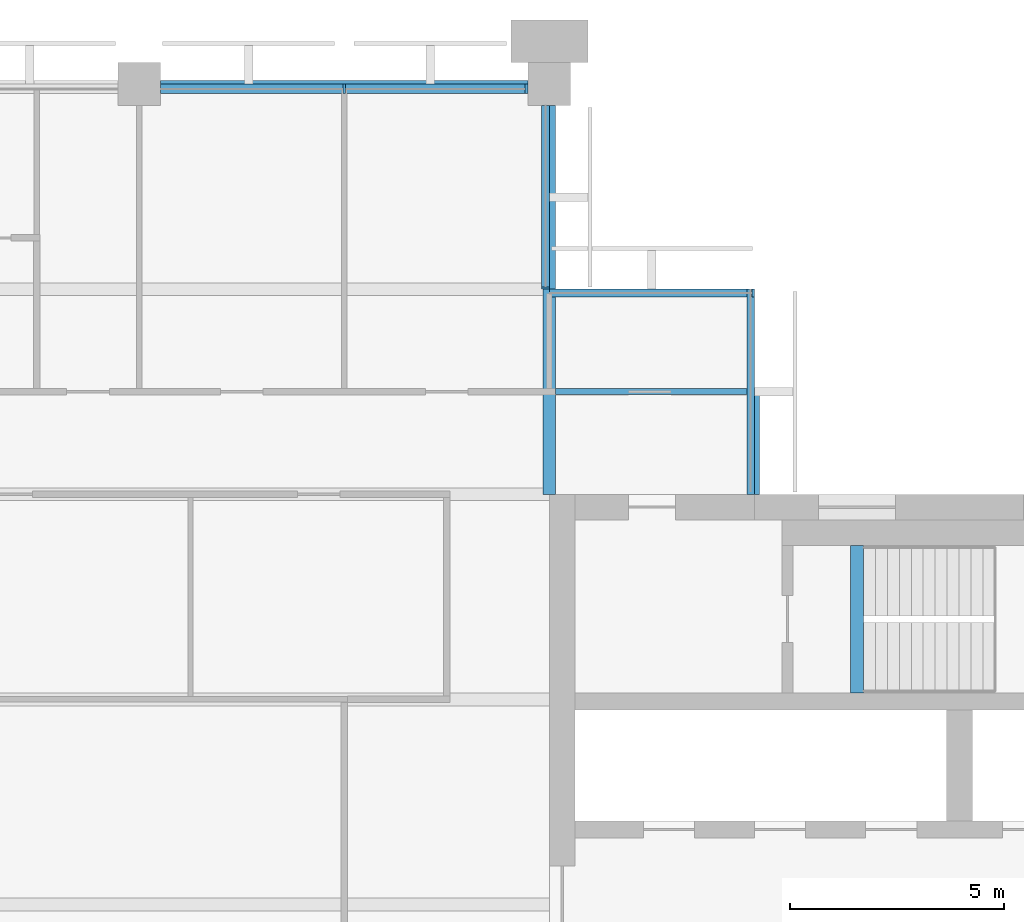
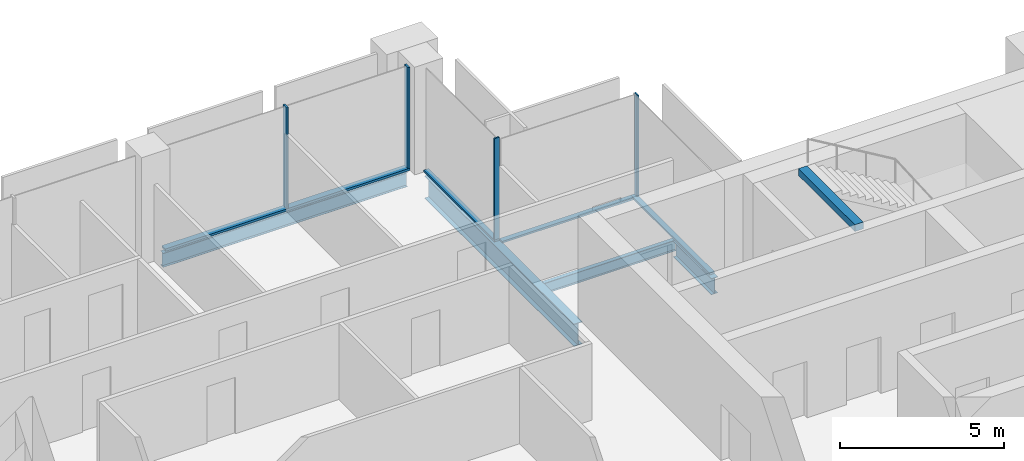
# One storey, part 6 of 13: 8 members, 5 beams, 4 elements without a shape of their own.
"""IFC4 building model written with IfcOpenShell, lengths in metres."""

from ifc_helpers import new_model, si_unit, direction, frame, origin, origin_2d, place, context, subcontext, project, spatial, rectangle, i_section, extrude, material, material_profile, profile_set, type_object, element, aggregate, save


model = new_model("IFC4")

# Units and contexts
model_context = context("Model", 3, precision=1e-05, world=origin(), true_north=direction((0.0, 1.0)))
body_context = subcontext(model_context, "Body", "Model", "MODEL_VIEW")
ifc_project = project(units=[si_unit("LENGTHUNIT", "METRE"), si_unit("AREAUNIT", "SQUARE_METRE"), si_unit("VOLUMEUNIT", "CUBIC_METRE"), si_unit("PLANEANGLEUNIT", "RADIAN"), si_unit("MASSUNIT", "GRAM", prefix="KILO")], contexts=[model_context])

# Site, building, storey
site_placement = place(None, origin())
site = spatial("IfcSite", under=ifc_project, at=site_placement, CompositionType="ELEMENT")
building_placement = place(site_placement, origin())
building = spatial("IfcBuilding", under=site, at=building_placement, Name="Baori Bourse Tower", CompositionType="ELEMENT")
storey_placement = place(building_placement, frame((0.0, 0.0, 346.300048828125)))
storey = spatial("IfcBuildingStorey", under=building, at=storey_placement, Name="L77", CompositionType="ELEMENT", Elevation=346.300048828125)

# Curtain wall, member
ifc_material_1 = material(Name="Pale anodised aluminium", Category="aluminium")
curtain_wall_type_1 = type_object("IfcCurtainWallType", Name="CW2 Curtain wall", PredefinedType="NOTDEFINED", material=ifc_material_1)
curtain_wall_1_placement = place(storey_placement, origin())
curtain_wall_1 = element("IfcCurtainWall", 1, at=curtain_wall_1_placement, inside=storey, type_object=curtain_wall_type_1, Name="Curtain wall CW2 L77 2", PredefinedType="NOTDEFINED")
ifc_material_2 = material(Name="Pale anodised aluminium", Category="aluminium")
ifc_material_profile_1 = material_profile(ifc_material_2, rectangle(XDim=0.179931640625, YDim=0.054931640625, at=origin_2d()), Name="Mullion 55x180")
ifc_profile_set_1 = profile_set([ifc_material_profile_1], Name="Pale anodised aluminium")
member_type_1 = type_object("IfcMemberType", Name="CW2 Curtain wall mullion", PredefinedType="MULLION", material=ifc_profile_set_1)
member_1_placement = place(storey_placement, frame((43.172607421875, 43.110107421875, 0.070068359375), z_axis=(0.0, 0.0, 1.0), x_axis=(0.0, -1.0, 0.0)))
member_1 = element("IfcMember", 2, at=member_1_placement, type_object=member_type_1, Name="Curtain wall CW2 mullion", PredefinedType="MULLION", context=body_context, shape_type="SweptSolid", body=[
    extrude(rectangle(XDim=0.179931640625, YDim=0.054931640625, at=origin_2d()), origin(), (0.0, 0.0, 1.0), 3.769775390625),
])

curtain_wall_2_placement = place(storey_placement, origin())
curtain_wall_2 = element("IfcCurtainWall", 3, at=curtain_wall_2_placement, inside=storey, type_object=curtain_wall_type_1, Name="Curtain wall CW2 L77 3", PredefinedType="NOTDEFINED")
member_2_placement = place(storey_placement, frame((38.31005859375, 43.2275390625, 0.070068359375), z_axis=(0.0, 0.0, 1.0), x_axis=(-1.0, 0.0, 0.0)))
member_2 = element("IfcMember", 4, at=member_2_placement, type_object=member_type_1, Name="Curtain wall CW2 mullion", PredefinedType="MULLION", context=body_context, shape_type="SweptSolid", body=[
    extrude(rectangle(XDim=0.179931640625, YDim=0.054931640625, at=origin_2d()), origin(), (0.0, 0.0, 1.0), 3.769775390625),
])

curtain_wall_3_placement = place(storey_placement, origin())
curtain_wall_3 = element("IfcCurtainWall", 5, at=curtain_wall_3_placement, inside=storey, type_object=curtain_wall_type_1, Name="Curtain wall CW2 L77 1", PredefinedType="NOTDEFINED")
ifc_material_3 = material(Name="Pale anodised aluminium", Category="aluminium")
ifc_material_profile_2 = material_profile(ifc_material_3, rectangle(XDim=0.179931640625, YDim=0.070068359375, at=origin_2d()), Name="Transom 70x180")
ifc_profile_set_2 = profile_set([ifc_material_profile_2], Name="Pale anodised aluminium")
member_type_2 = type_object("IfcMemberType", Name="CW2 Curtain wall transom", PredefinedType="USERDEFINED", material=ifc_profile_set_2)
member_3_placement = place(storey_placement, frame((43.110107421875, 38.39990234375, 0.034912109375), z_axis=(0.0, 1.0, 0.0), x_axis=(-1.0, 0.0, 0.0)))
member_3 = element("IfcMember", 6, at=member_3_placement, type_object=member_type_2, Name="Curtain wall CW2 sill rail", ObjectType="TRANSOM", PredefinedType="USERDEFINED", context=body_context, shape_type="SweptSolid", body=[
    extrude(rectangle(XDim=0.179931640625, YDim=0.070068359375, at=origin_2d()), origin(), (0.0, 0.0, 1.0), 4.800048828125),
])
aggregate(curtain_wall_3, [member_3])

# Member
member_4_placement = place(storey_placement, frame((43.199951171875, 43.110107421875, 0.034912109375), z_axis=(-1.0, 0.0, 0.0), x_axis=(0.0, -1.0, 0.0)))
member_4 = element("IfcMember", 7, at=member_4_placement, type_object=member_type_2, Name="Curtain wall CW2 sill rail", ObjectType="TRANSOM", PredefinedType="USERDEFINED", context=body_context, shape_type="SweptSolid", body=[
    extrude(rectangle(XDim=0.179931640625, YDim=0.070068359375, at=origin_2d()), origin(), (0.0, 0.0, 1.0), 4.800048828125),
])

aggregate(curtain_wall_1, [member_4, member_1])

member_5_placement = place(storey_placement, frame((38.31005859375, 43.199951171875, 0.034912109375), z_axis=(0.0, 1.0, 0.0), x_axis=(-1.0, 0.0, 0.0)))
member_5 = element("IfcMember", 8, at=member_5_placement, type_object=member_type_2, Name="Curtain wall CW2 sill rail", ObjectType="TRANSOM", PredefinedType="USERDEFINED", context=body_context, shape_type="SweptSolid", body=[
    extrude(rectangle(XDim=0.179931640625, YDim=0.070068359375, at=origin_2d()), origin(), (0.0, 0.0, 1.0), 4.300048828125),
])

aggregate(curtain_wall_2, [member_5, member_2])

# Curtain wall, members
ifc_material_4 = material(Name="Pale anodised aluminium", Category="aluminium")
curtain_wall_type_2 = type_object("IfcCurtainWallType", Name="CW5 Curtain wall", PredefinedType="NOTDEFINED", material=ifc_material_4)
curtain_wall_4_placement = place(storey_placement, origin())
curtain_wall_4 = element("IfcCurtainWall", 9, at=curtain_wall_4_placement, inside=storey, type_object=curtain_wall_type_2, Name="Curtain wall CW5 L77 4", PredefinedType="NOTDEFINED")
ifc_material_5 = material(Name="Pale anodised aluminium", Category="aluminium")
ifc_material_profile_3 = material_profile(ifc_material_5, rectangle(XDim=0.219970703125, YDim=0.06494140625, at=origin_2d()), Name="Mullion 65x220")
ifc_profile_set_3 = profile_set([ifc_material_profile_3], Name="Pale anodised aluminium")
member_type_3 = type_object("IfcMemberType", Name="CW5 Curtain wall mullion", PredefinedType="MULLION", material=ifc_profile_set_3)
member_6_placement = place(storey_placement, frame((37.867431640625, 47.889892578125, 0.0849609375), z_axis=(0.0, 0.0, 1.0), x_axis=(0.0, -1.0, 0.0)))
member_6 = element("IfcMember", 10, at=member_6_placement, type_object=member_type_3, Name="Curtain wall CW5 mullion", PredefinedType="MULLION", context=body_context, shape_type="SweptSolid", body=[
    extrude(rectangle(XDim=0.219970703125, YDim=0.06494140625, at=origin_2d()), origin(), (0.0, 0.0, 1.0), 3.7548828125),
])
member_7_placement = place(storey_placement, frame((33.60009765625, 47.889892578125, 0.0849609375), z_axis=(0.0, 0.0, 1.0), x_axis=(0.0, -1.0, 0.0)))
member_7 = element("IfcMember", 11, at=member_7_placement, type_object=member_type_3, Name="Curtain wall CW5 mullion", PredefinedType="MULLION", context=body_context, shape_type="SweptSolid", body=[
    extrude(rectangle(XDim=0.219970703125, YDim=0.06494140625, at=origin_2d()), origin(), (0.0, 0.0, 1.0), 3.7548828125),
])
ifc_material_6 = material(Name="Pale anodised aluminium", Category="aluminium")
ifc_material_profile_4 = material_profile(ifc_material_6, rectangle(XDim=0.219970703125, YDim=0.0849609375, at=origin_2d()), Name="Transom 85x220")
ifc_profile_set_4 = profile_set([ifc_material_profile_4], Name="Pale anodised aluminium")
member_type_4 = type_object("IfcMemberType", Name="CW5 Curtain wall transom", PredefinedType="USERDEFINED", material=ifc_profile_set_4)
member_8_placement = place(storey_placement, frame((37.89990234375, 47.889892578125, 0.04248046875), z_axis=(-1.0, 0.0, 0.0), x_axis=(0.0, -1.0, 0.0)))
member_8 = element("IfcMember", 12, at=member_8_placement, type_object=member_type_4, Name="Curtain wall CW5 sill rail", ObjectType="TRANSOM", PredefinedType="USERDEFINED", context=body_context, shape_type="SweptSolid", body=[
    extrude(rectangle(XDim=0.219970703125, YDim=0.0849609375, at=origin_2d()), origin(), (0.0, 0.0, 1.0), 8.599853515625),
])
aggregate(curtain_wall_4, [member_8, member_6, member_7])

# Beams
ifc_material_7 = material(Name="Steel A992 Gr 50", Category="steel")
ifc_material_profile_5 = material_profile(ifc_material_7, i_section(OverallWidth=0.227783203125, OverallDepth=0.60205078125, WebThickness=0.010498046875, FlangeThickness=0.014892578125, at=origin_2d()), Name="W24x68")
ifc_profile_set_5 = profile_set([ifc_material_profile_5], Name="Steel A992 Gr 50")
beam_type_1 = type_object("IfcBeamType", Name="Core bracket W24x68", PredefinedType="BEAM", material=ifc_profile_set_5)
beam_1_placement = place(storey_placement, frame((43.199951171875, 38.39990234375, -0.4609375), z_axis=(0.0, 1.0, 0.0), x_axis=(-1.0, 0.0, 0.0)))
element("IfcBeam", 13, at=beam_1_placement, inside=storey, type_object=beam_type_1, Name="Core bracket L77", PredefinedType="BEAM", context=body_context, shape_type="SweptSolid", body=[
    extrude(i_section(OverallWidth=0.227783203125, OverallDepth=0.60205078125, WebThickness=0.010498046875, FlangeThickness=0.014892578125, at=origin_2d()), origin(), (0.0, 0.0, 1.0), 2.329833984375),
])
ifc_material_8 = material(Name="Steel A992 Gr 50", Category="steel")
ifc_material_profile_6 = material_profile(ifc_material_8, i_section(OverallWidth=0.1650390625, OverallDepth=0.52587890625, WebThickness=0.0087890625, FlangeThickness=0.011474609375, at=origin_2d()), Name="W21x44")
ifc_profile_set_6 = profile_set([ifc_material_profile_6], Name="Steel A992 Gr 50")
beam_type_2 = type_object("IfcBeamType", Name="Edge beam W21x44", PredefinedType="BEAM", material=ifc_profile_set_6)
beam_2_placement = place(storey_placement, frame((29.300048828125, 48.0, -0.4228515625), z_axis=(1.0, 0.0, 0.0), x_axis=(0.0, 1.0, 0.0)))
element("IfcBeam", 14, at=beam_2_placement, inside=storey, type_object=beam_type_2, Name="Edge beam L77", PredefinedType="BEAM", context=body_context, shape_type="SweptSolid", body=[
    extrude(i_section(OverallWidth=0.1650390625, OverallDepth=0.52587890625, WebThickness=0.0087890625, FlangeThickness=0.011474609375, at=origin_2d()), origin(), (0.0, 0.0, 1.0), 8.599853515625),
])
ifc_material_9 = material(Name="Steel A992 Gr 50", Category="steel")
ifc_material_profile_7 = material_profile(ifc_material_9, i_section(OverallWidth=0.2919921875, OverallDepth=0.835693359375, WebThickness=0.013916015625, FlangeThickness=0.018798828125, at=origin_2d()), Name="W33x118")
ifc_profile_set_7 = profile_set([ifc_material_profile_7], Name="Steel A992 Gr 50")
beam_type_3 = type_object("IfcBeamType", Name="Girder W33x118", PredefinedType="BEAM", material=ifc_profile_set_7)
beam_3_placement = place(storey_placement, frame((38.39990234375, 38.39990234375, -0.577880859375), z_axis=(0.0, 1.0, 0.0), x_axis=(-1.0, 0.0, 0.0)))
element("IfcBeam", 15, at=beam_3_placement, inside=storey, type_object=beam_type_3, Name="Girder L77", PredefinedType="BEAM", context=body_context, shape_type="SweptSolid", body=[
    extrude(i_section(OverallWidth=0.2919921875, OverallDepth=0.835693359375, WebThickness=0.013916015625, FlangeThickness=0.018798828125, at=origin_2d()), origin(), (0.0, 0.0, 1.0), 9.10009765625),
])
ifc_material_10 = material(Name="Concrete f'c 50 MPa", Category="concrete")
ifc_material_profile_8 = material_profile(ifc_material_10, rectangle(XDim=0.300048828125, YDim=0.25, at=origin_2d()), Name="RC 300x250")
ifc_profile_set_8 = profile_set([ifc_material_profile_8], Name="Concrete f'c 50 MPa")
beam_type_4 = type_object("IfcBeamType", Name="Stair nib beam RC 300x250", PredefinedType="BEAM", material=ifc_profile_set_8)
beam_4_placement = place(storey_placement, frame((45.60009765625, 33.75, 3.71484375), z_axis=(0.0, 1.0, 0.0), x_axis=(-1.0, 0.0, 0.0)))
element("IfcBeam", 16, at=beam_4_placement, inside=storey, type_object=beam_type_4, Name="Stair EB nib beam L78", PredefinedType="BEAM", context=body_context, shape_type="SweptSolid", body=[
    extrude(rectangle(XDim=0.300048828125, YDim=0.25, at=origin_2d()), origin(), (0.0, 0.0, 1.0), 3.449951171875),
])
ifc_material_11 = material(Name="Steel A992 Gr 50", Category="steel")
ifc_material_profile_9 = material_profile(ifc_material_11, i_section(OverallWidth=0.140380859375, OverallDepth=0.40380859375, WebThickness=0.007080078125, FlangeThickness=0.01123046875, at=origin_2d()), Name="W16x31")
ifc_profile_set_9 = profile_set([ifc_material_profile_9], Name="Steel A992 Gr 50")
beam_type_5 = type_object("IfcBeamType", Name="Trimmer beam W16x31", PredefinedType="BEAM", material=ifc_profile_set_9)
beam_5_placement = place(storey_placement, frame((38.546142578125, 40.800048828125, -0.362060546875), z_axis=(1.0, 0.0, 0.0), x_axis=(0.0, 1.0, 0.0)))
element("IfcBeam", 17, at=beam_5_placement, inside=storey, type_object=beam_type_5, Name="Trimmer beam L77", PredefinedType="BEAM", context=body_context, shape_type="SweptSolid", body=[
    extrude(i_section(OverallWidth=0.140380859375, OverallDepth=0.40380859375, WebThickness=0.007080078125, FlangeThickness=0.01123046875, at=origin_2d()), origin(), (0.0, 0.0, 1.0), 4.65380859375),
])

save(model, "model.ifc")
